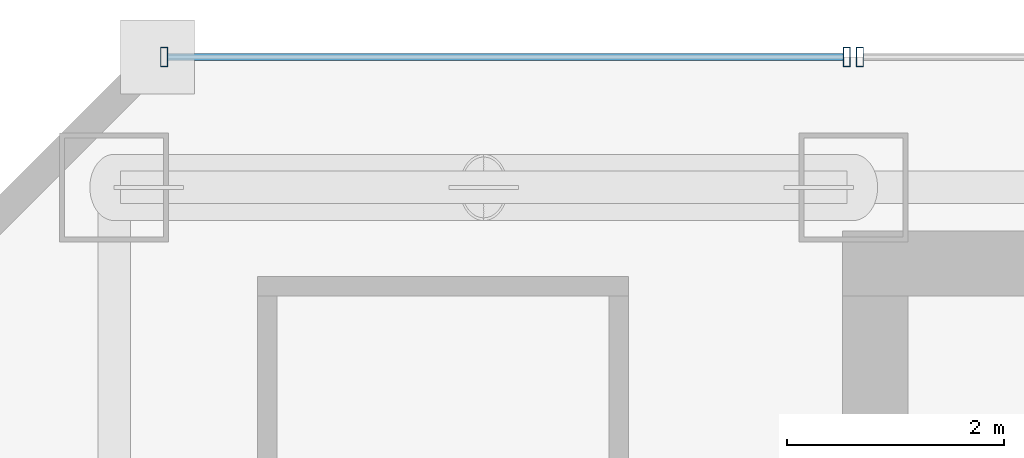
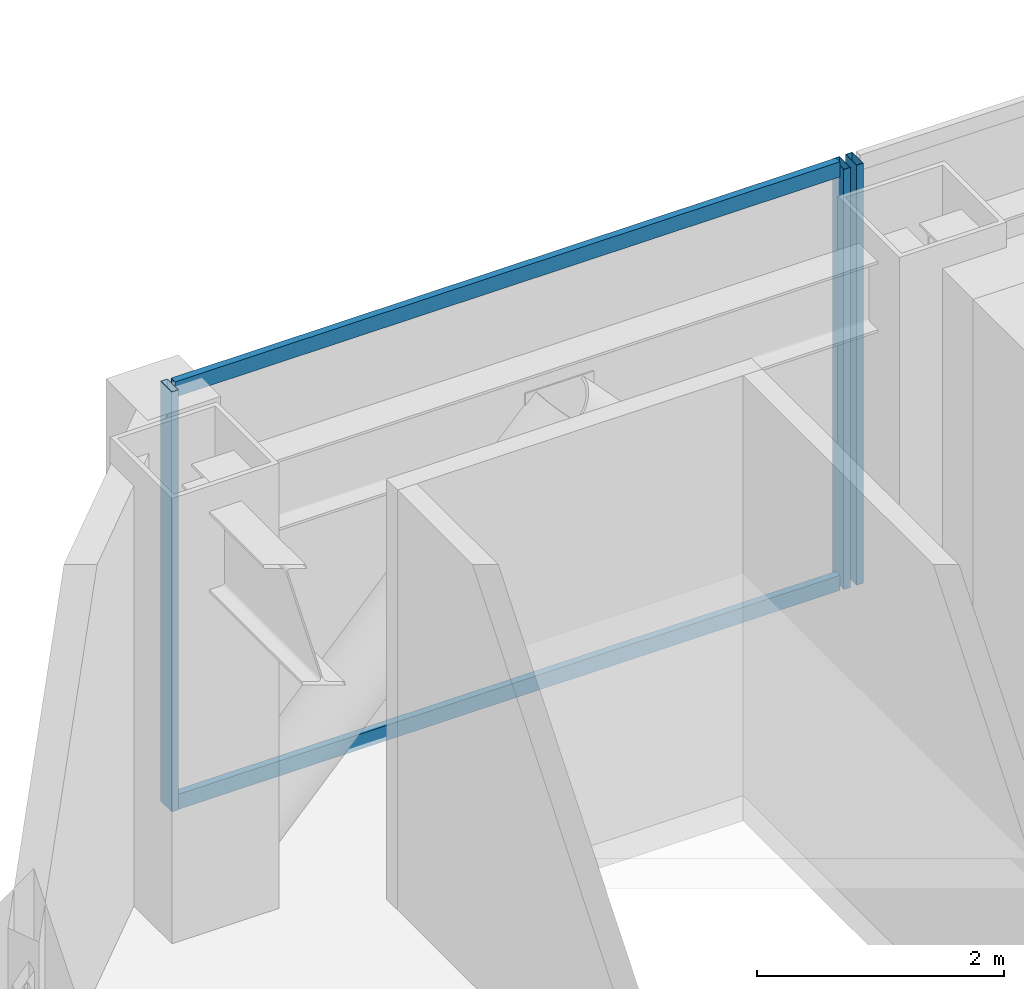
# One storey, part 23 of 37: 5 members, 2 elements without a shape of their own.
"""IFC4 building model written with IfcOpenShell, lengths in metres."""

from ifc_helpers import new_model, si_unit, direction, frame, origin, origin_2d, place, context, subcontext, project, spatial, hollow_rectangle, extrude, material, material_profile, profile_set, type_object, element, aggregate, save


model = new_model("IFC4")

# Units and contexts
model_context = context("Model", 3, precision=1e-05, world=origin(), true_north=direction((0.0, 1.0)))
body_context = subcontext(model_context, "Body", "Model", "MODEL_VIEW")
ifc_project = project(units=[si_unit("LENGTHUNIT", "METRE"), si_unit("AREAUNIT", "SQUARE_METRE"), si_unit("VOLUMEUNIT", "CUBIC_METRE"), si_unit("PLANEANGLEUNIT", "RADIAN"), si_unit("MASSUNIT", "GRAM", prefix="KILO")], contexts=[model_context])

# Site, building, storey
site_placement = place(None, origin())
site = spatial("IfcSite", under=ifc_project, at=site_placement, CompositionType="ELEMENT")
building_placement = place(site_placement, origin())
building = spatial("IfcBuilding", under=site, at=building_placement, Name="Saevonmaru Cultural Tower", CompositionType="ELEMENT")
storey_placement = place(building_placement, frame((0.0, 0.0, 114.800048828125)))
storey = spatial("IfcBuildingStorey", under=building, at=storey_placement, Name="L24", CompositionType="ELEMENT", Elevation=114.800048828125)

# Curtain wall, member
ifc_material = material(Name="Satin Bronze Anodised Aluminium", Category="aluminium")
curtain_wall_type = type_object("IfcCurtainWallType", Name="CW-TYP-A", PredefinedType="NOTDEFINED", material=ifc_material)
curtain_wall_1_placement = place(storey_placement, origin())
curtain_wall_1 = element("IfcCurtainWall", 1, at=curtain_wall_1_placement, inside=storey, type_object=curtain_wall_type, Name="L24 North Spine Unitised Curtain Wall E10B", PredefinedType="NOTDEFINED")
ifc_material_profile_1 = material_profile(ifc_material, hollow_rectangle(XDim=0.06494140625, YDim=0.179931640625, WallThickness=0.00390625, at=origin_2d()), Name="ALU-MULL-180x65x4")
ifc_profile_set_1 = profile_set([ifc_material_profile_1], Name="Satin Bronze Anodised Aluminium")
member_type_1 = type_object("IfcMemberType", Name="ML-CW-180x65", PredefinedType="MULLION", material=ifc_profile_set_1)
member_1_placement = place(storey_placement, frame((13.659912109375, 56.0, 0.0), z_axis=(0.0, 0.0, 1.0), x_axis=(-1.0, 0.0, 0.0)))
member_1 = element("IfcMember", 2, at=member_1_placement, type_object=member_type_1, Name="CW-TW-L24-E10B mullion 4", PredefinedType="MULLION", context=body_context, shape_type="SweptSolid", body=[
    extrude(hollow_rectangle(XDim=0.06494140625, YDim=0.179931640625, WallThickness=0.00390625, at=origin_2d()), origin(), (0.0, 0.0, 1.0), 4.14990234375),
])
aggregate(curtain_wall_1, [member_1])

# Curtain wall, members
curtain_wall_2_placement = place(storey_placement, origin())
curtain_wall_2 = element("IfcCurtainWall", 3, at=curtain_wall_2_placement, inside=storey, type_object=curtain_wall_type, Name="L24 West Braced Bay Spandrel Curtain Wall E10C", PredefinedType="NOTDEFINED")
member_2_placement = place(storey_placement, frame((13.5400390625, 56.0, 0.0), z_axis=(0.0, 0.0, 1.0), x_axis=(-1.0, 0.0, 0.0)))
member_2 = element("IfcMember", 4, at=member_2_placement, type_object=member_type_1, Name="CW-TW-L24-E10C mullion 1", PredefinedType="MULLION", context=body_context, shape_type="SweptSolid", body=[
    extrude(hollow_rectangle(XDim=0.06494140625, YDim=0.179931640625, WallThickness=0.00390625, at=origin_2d()), origin(), (0.0, 0.0, 1.0), 4.14990234375),
])
member_3_placement = place(storey_placement, frame((7.260009765625, 56.0, 0.0), z_axis=(0.0, 0.0, 1.0), x_axis=(-1.0, 0.0, 0.0)))
member_3 = element("IfcMember", 5, at=member_3_placement, type_object=member_type_1, Name="CW-TW-L24-E10C mullion 2", PredefinedType="MULLION", context=body_context, shape_type="SweptSolid", body=[
    extrude(hollow_rectangle(XDim=0.06494140625, YDim=0.179931640625, WallThickness=0.00390625, at=origin_2d()), origin(), (0.0, 0.0, 1.0), 4.14990234375),
])
ifc_material_profile_2 = material_profile(ifc_material, hollow_rectangle(XDim=0.06494140625, YDim=0.14990234375, WallThickness=0.00390625, at=origin_2d()), Name="ALU-TRAN-150x65x4")
ifc_profile_set_2 = profile_set([ifc_material_profile_2], Name="Satin Bronze Anodised Aluminium")
member_type_2 = type_object("IfcMemberType", Name="TR-CW-150x65", PredefinedType="USERDEFINED", material=ifc_profile_set_2)
member_4_placement = place(storey_placement, frame((13.507568359375, 56.0, 0.032470703125), z_axis=(-1.0, 0.0, 0.0), x_axis=(0.0, -1.0, 0.0)))
member_4 = element("IfcMember", 6, at=member_4_placement, type_object=member_type_2, Name="CW-TW-L24-E10C transom 1.1", ObjectType="TRANSOM", PredefinedType="USERDEFINED", context=body_context, shape_type="SweptSolid", body=[
    extrude(hollow_rectangle(XDim=0.06494140625, YDim=0.14990234375, WallThickness=0.00390625, at=origin_2d()), origin(), (0.0, 0.0, 1.0), 6.215087890625),
])
member_5_placement = place(storey_placement, frame((13.507568359375, 56.0, 4.117431640625), z_axis=(-1.0, 0.0, 0.0), x_axis=(0.0, -1.0, 0.0)))
member_5 = element("IfcMember", 7, at=member_5_placement, type_object=member_type_2, Name="CW-TW-L24-E10C transom 1.2", ObjectType="TRANSOM", PredefinedType="USERDEFINED", context=body_context, shape_type="SweptSolid", body=[
    extrude(hollow_rectangle(XDim=0.06494140625, YDim=0.14990234375, WallThickness=0.00390625, at=origin_2d()), origin(), (0.0, 0.0, 1.0), 6.215087890625),
])
aggregate(curtain_wall_2, [member_2, member_3, member_4, member_5])

save(model, "model.ifc")
